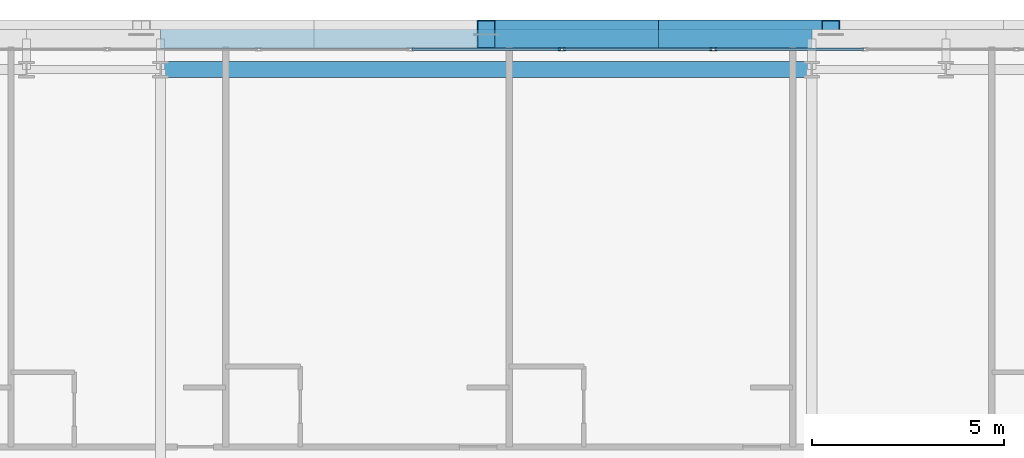
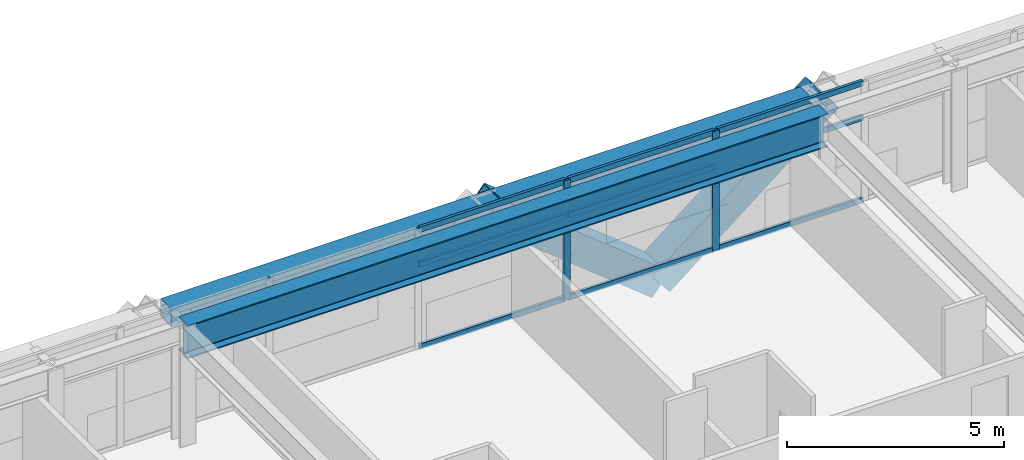
# One storey, part 19 of 35: 13 members, 2 beams, 1 element without a shape of its own.
"""IFC4 building model written with IfcOpenShell, lengths in metres."""

from ifc_helpers import new_model, si_unit, direction, frame, origin, origin_2d, place, context, subcontext, project, spatial, hollow_rectangle, i_section, extrude, source, transform, mapped, material, layer, layer_set, material_profile, profile_set, type_object, element, aggregate, save


model = new_model("IFC4")

# Units and contexts
model_context = context("Model", 3, precision=1e-05, world=origin(), true_north=direction((0.0, 1.0)))
body_context = subcontext(model_context, "Body", "Model", "MODEL_VIEW")
ifc_project = project(units=[si_unit("LENGTHUNIT", "METRE"), si_unit("AREAUNIT", "SQUARE_METRE"), si_unit("VOLUMEUNIT", "CUBIC_METRE"), si_unit("PLANEANGLEUNIT", "RADIAN"), si_unit("MASSUNIT", "GRAM", prefix="KILO")], contexts=[model_context])

# Site, building, storey
site_placement = place(None, origin())
site = spatial("IfcSite", under=ifc_project, at=site_placement, CompositionType="ELEMENT")
building_placement = place(site_placement, origin())
building = spatial("IfcBuilding", under=site, at=building_placement, Name="Ocotamira Hotel", CompositionType="ELEMENT")
storey_placement = place(building_placement, frame((0.0, 0.0, 144.0)))
storey = spatial("IfcBuildingStorey", under=building, at=storey_placement, Name="L36", CompositionType="ELEMENT", Elevation=144.0)

# Beams
ifc_material_1 = material(Name="Steel ASTM A992 Grade 50", Category="steel")
ifc_material_profile_1 = material_profile(ifc_material_1, i_section(OverallWidth=0.41796875, OverallDepth=0.927001953125, WebThickness=0.019287109375, FlangeThickness=0.031982421875, FilletRadius=0.02392578125, at=origin_2d()), Name="W36X231")
ifc_profile_set_1 = profile_set([ifc_material_profile_1], Name="Steel ASTM A992 Grade 50")
beam_type_1 = type_object("IfcBeamType", Name="BM-GIRD-W36X231", PredefinedType="BEAM", material=ifc_profile_set_1)
shared_shape_1 = source(origin(), body_context, "Body", "SweptSolid", [
    extrude(i_section(OverallWidth=0.41796875, OverallDepth=0.927001953125, WebThickness=0.019287109375, FlangeThickness=0.031982421875, FilletRadius=0.02392578125, at=origin_2d()), origin(), (0.0, 0.0, 1.0), 17.0),
])
beam_1_placement = place(storey_placement, frame((23.5, 49.050048828125, 2.896484375), z_axis=(1.0, 0.0, 0.0), x_axis=(0.0, 1.0, 0.0)))
element("IfcBeam", 1, at=beam_1_placement, inside=storey, type_object=beam_type_1, Name="L36 Girder Y49.05 X23.5-40.5", PredefinedType="BEAM", context=body_context, shape_type="MappedRepresentation", body=[
    mapped(shared_shape_1, transform((0.0, 0.0, 0.0), scale=1.0)),
])
ifc_material_2 = material(Name="Steel ASTM A500 Grade C", Category="steel")
ifc_material_profile_2 = material_profile(ifc_material_2, hollow_rectangle(XDim=0.5, YDim=0.5, WallThickness=0.02001953125, at=origin_2d()), Name="HSS500X500X20")
ifc_profile_set_2 = profile_set([ifc_material_profile_2], Name="Steel ASTM A500 Grade C")
beam_type_2 = type_object("IfcBeamType", Name="BM-SPAN-HSS500", PredefinedType="USERDEFINED", material=ifc_profile_set_2)
shared_shape_2 = source(origin(), body_context, "Body", "SweptSolid", [
    extrude(hollow_rectangle(XDim=0.5, YDim=0.5, WallThickness=0.02001953125, at=origin_2d()), origin(), (0.0, 0.0, 1.0), 17.0),
])
beam_2_placement = place(storey_placement, frame((23.5, 49.85009765625, 3.110107421875), z_axis=(1.0, 0.0, 0.0), x_axis=(0.0, 1.0, 0.0)))
element("IfcBeam", 2, at=beam_2_placement, inside=storey, type_object=beam_type_2, Name="L36 Edge Spandrel N X23.5-40.5", ObjectType="SPANDREL", PredefinedType="USERDEFINED", context=body_context, shape_type="MappedRepresentation", body=[
    mapped(shared_shape_2, transform((0.0, 0.0, 0.0), scale=1.0)),
])

# Members
ifc_material_3 = material(Name="Pale-metal coated steel ASTM A913 Grade 65", Category="steel")
ifc_material_profile_3 = material_profile(ifc_material_3, hollow_rectangle(XDim=0.75, YDim=0.75, WallThickness=0.028076171875, at=origin_2d()), Name="BOX750X750X28")
ifc_profile_set_3 = profile_set([ifc_material_profile_3], Name="Pale-metal coated steel ASTM A913 Grade 65")
member_type_1 = type_object("IfcMemberType", Name="MEM-EXO-BOX750", PredefinedType="BRACE", material=ifc_profile_set_3)
shared_shape_3 = source(origin(), body_context, "Body", "SweptSolid", [
    extrude(hollow_rectangle(XDim=0.75, YDim=0.75, WallThickness=0.028076171875, at=origin_2d()), origin(), (0.0, 0.0, 1.0), 5.762939453125),
])
for number, where, z_axis, x_axis, name in (
    (3, (36.5, 49.969970703125, -0.489990234375), (-0.780860543151, 0.0, 0.624705380279), (0.0, -1.0, 0.0), "L36 Exoskeleton Diagrid N2.1"),
    (4, (36.5, 49.969970703125, -0.489990234375), (0.780860543151, 0.0, 0.624705380279), (0.0, 1.0, 0.0), "L36 Exoskeleton Diagrid N2.2"),
):
    element("IfcMember", number, at=place(storey_placement, frame(where, z_axis=z_axis, x_axis=x_axis)), inside=storey, type_object=member_type_1, Name=name, PredefinedType="BRACE", context=body_context, shape_type="MappedRepresentation", body=[
        mapped(shared_shape_3, transform((0.0, 0.0, 0.0), scale=1.0)),
    ])

# Curtain wall, members
ifc_material_4 = material(Name="Anodised pale-metal aluminium and solar glass", Category="aluminium")
ifc_layer = layer(ifc_material_4, 0.179931640625)
ifc_layer_set = layer_set([ifc_layer], Name="Anodised pale-metal aluminium and solar glass")
curtain_wall_type = type_object("IfcCurtainWallType", Name="CW-SYS3-Z2", PredefinedType="NOTDEFINED", material=ifc_layer_set)
curtain_wall_placement = place(storey_placement, origin())
curtain_wall = element("IfcCurtainWall", 5, at=curtain_wall_placement, inside=storey, type_object=curtain_wall_type, Name="L36 Curtain Wall CW-3 CW-L36-N", PredefinedType="NOTDEFINED")
ifc_material_5 = material(Name="Anodised pale-metal aluminium 6063-T6", Category="aluminium")
ifc_material_profile_4 = material_profile(ifc_material_5, hollow_rectangle(XDim=0.074951171875, YDim=0.14990234375, WallThickness=0.006103515625, at=origin_2d()), Name="HSS150X75X6")
ifc_profile_set_4 = profile_set([ifc_material_profile_4], Name="Anodised pale-metal aluminium 6063-T6")
member_type_2 = type_object("IfcMemberType", Name="CWT-150X75", PredefinedType="USERDEFINED", material=ifc_profile_set_4)
shared_shape_4 = source(origin(), body_context, "Body", "SweptSolid", [
    extrude(hollow_rectangle(XDim=0.074951171875, YDim=0.14990234375, WallThickness=0.006103515625, at=origin_2d()), origin(), (0.0, 0.0, 1.0), 3.87548828125),
])
member_1_placement = place(storey_placement, frame((30.062255859375, 49.580078125, 0.03759765625), z_axis=(1.0, 0.0, 0.0), x_axis=(0.0, 1.0, 0.0)))
member_1 = element("IfcMember", 6, at=member_1_placement, type_object=member_type_2, Name="CW-3 transom 5.1", ObjectType="TRANSOM", PredefinedType="USERDEFINED", context=body_context, shape_type="MappedRepresentation", body=[
    mapped(shared_shape_4, transform((0.0, 0.0, 0.0), scale=1.0)),
])
member_2_placement = place(storey_placement, frame((30.062255859375, 49.580078125, 2.35009765625), z_axis=(1.0, 0.0, 0.0), x_axis=(0.0, 1.0, 0.0)))
member_2 = element("IfcMember", 7, at=member_2_placement, type_object=member_type_2, Name="CW-3 transom 5.2", ObjectType="TRANSOM", PredefinedType="USERDEFINED", context=body_context, shape_type="MappedRepresentation", body=[
    mapped(shared_shape_4, transform((0.0, 0.0, 0.0), scale=1.0)),
])
member_3_placement = place(storey_placement, frame((30.062255859375, 49.580078125, 3.322509765625), z_axis=(1.0, 0.0, 0.0), x_axis=(0.0, 1.0, 0.0)))
member_3 = element("IfcMember", 8, at=member_3_placement, type_object=member_type_2, Name="CW-3 transom 5.3", ObjectType="TRANSOM", PredefinedType="USERDEFINED", context=body_context, shape_type="MappedRepresentation", body=[
    mapped(shared_shape_4, transform((0.0, 0.0, 0.0), scale=1.0)),
])
member_4_placement = place(storey_placement, frame((34.017822265625, 49.580078125, 0.03759765625), z_axis=(1.0, 0.0, 0.0), x_axis=(0.0, 1.0, 0.0)))
member_4 = element("IfcMember", 9, at=member_4_placement, type_object=member_type_2, Name="CW-3 transom 6.1", ObjectType="TRANSOM", PredefinedType="USERDEFINED", context=body_context, shape_type="MappedRepresentation", body=[
    mapped(shared_shape_4, transform((0.0, 0.0, 0.0), scale=1.0)),
])
member_5_placement = place(storey_placement, frame((34.017822265625, 49.580078125, 2.35009765625), z_axis=(1.0, 0.0, 0.0), x_axis=(0.0, 1.0, 0.0)))
member_5 = element("IfcMember", 10, at=member_5_placement, type_object=member_type_2, Name="CW-3 transom 6.2", ObjectType="TRANSOM", PredefinedType="USERDEFINED", context=body_context, shape_type="MappedRepresentation", body=[
    mapped(shared_shape_4, transform((0.0, 0.0, 0.0), scale=1.0)),
])
member_6_placement = place(storey_placement, frame((34.017822265625, 49.580078125, 3.322509765625), z_axis=(1.0, 0.0, 0.0), x_axis=(0.0, 1.0, 0.0)))
member_6 = element("IfcMember", 11, at=member_6_placement, type_object=member_type_2, Name="CW-3 transom 6.3", ObjectType="TRANSOM", PredefinedType="USERDEFINED", context=body_context, shape_type="MappedRepresentation", body=[
    mapped(shared_shape_4, transform((0.0, 0.0, 0.0), scale=1.0)),
])
member_7_placement = place(storey_placement, frame((37.973388671875, 49.580078125, 0.03759765625), z_axis=(1.0, 0.0, 0.0), x_axis=(0.0, 1.0, 0.0)))
member_7 = element("IfcMember", 12, at=member_7_placement, type_object=member_type_2, Name="CW-3 transom 7.1", ObjectType="TRANSOM", PredefinedType="USERDEFINED", context=body_context, shape_type="MappedRepresentation", body=[
    mapped(shared_shape_4, transform((0.0, 0.0, 0.0), scale=1.0)),
])
member_8_placement = place(storey_placement, frame((37.973388671875, 49.580078125, 2.35009765625), z_axis=(1.0, 0.0, 0.0), x_axis=(0.0, 1.0, 0.0)))
member_8 = element("IfcMember", 13, at=member_8_placement, type_object=member_type_2, Name="CW-3 transom 7.2", ObjectType="TRANSOM", PredefinedType="USERDEFINED", context=body_context, shape_type="MappedRepresentation", body=[
    mapped(shared_shape_4, transform((0.0, 0.0, 0.0), scale=1.0)),
])
member_9_placement = place(storey_placement, frame((37.973388671875, 49.580078125, 3.322509765625), z_axis=(1.0, 0.0, 0.0), x_axis=(0.0, 1.0, 0.0)))
member_9 = element("IfcMember", 14, at=member_9_placement, type_object=member_type_2, Name="CW-3 transom 7.3", ObjectType="TRANSOM", PredefinedType="USERDEFINED", context=body_context, shape_type="MappedRepresentation", body=[
    mapped(shared_shape_4, transform((0.0, 0.0, 0.0), scale=1.0)),
])
ifc_material_profile_5 = material_profile(ifc_material_5, hollow_rectangle(XDim=0.080078125, YDim=0.179931640625, WallThickness=0.006103515625, at=origin_2d()), Name="HSS180X80X6")
ifc_profile_set_5 = profile_set([ifc_material_profile_5], Name="Anodised pale-metal aluminium 6063-T6")
member_type_3 = type_object("IfcMemberType", Name="CWM-180X75", PredefinedType="MULLION", material=ifc_profile_set_5)
shared_shape_5 = source(origin(), body_context, "Body", "SweptSolid", [
    extrude(hollow_rectangle(XDim=0.080078125, YDim=0.179931640625, WallThickness=0.006103515625, at=origin_2d()), origin(), (0.0, 0.0, 1.0), 3.360107421875),
])
member_10_placement = place(storey_placement, frame((33.977783203125, 49.580078125, 0.0), z_axis=(0.0, 0.0, 1.0), x_axis=(0.0, 1.0, 0.0)))
member_10 = element("IfcMember", 15, at=member_10_placement, type_object=member_type_3, Name="CW-3 mullion 6", PredefinedType="MULLION", context=body_context, shape_type="MappedRepresentation", body=[
    mapped(shared_shape_5, transform((0.0, 0.0, 0.0), scale=1.0)),
])
member_11_placement = place(storey_placement, frame((37.933349609375, 49.580078125, 0.0), z_axis=(0.0, 0.0, 1.0), x_axis=(0.0, 1.0, 0.0)))
member_11 = element("IfcMember", 16, at=member_11_placement, type_object=member_type_3, Name="CW-3 mullion 7", PredefinedType="MULLION", context=body_context, shape_type="MappedRepresentation", body=[
    mapped(shared_shape_5, transform((0.0, 0.0, 0.0), scale=1.0)),
])
aggregate(curtain_wall, [member_10, member_11, member_1, member_2, member_3, member_4, member_5, member_6, member_7, member_8, member_9])

save(model, "model.ifc")
